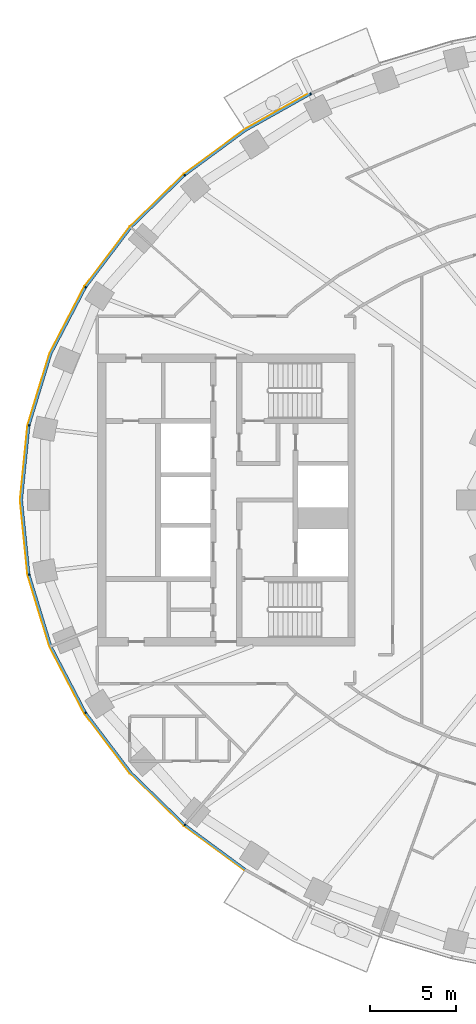
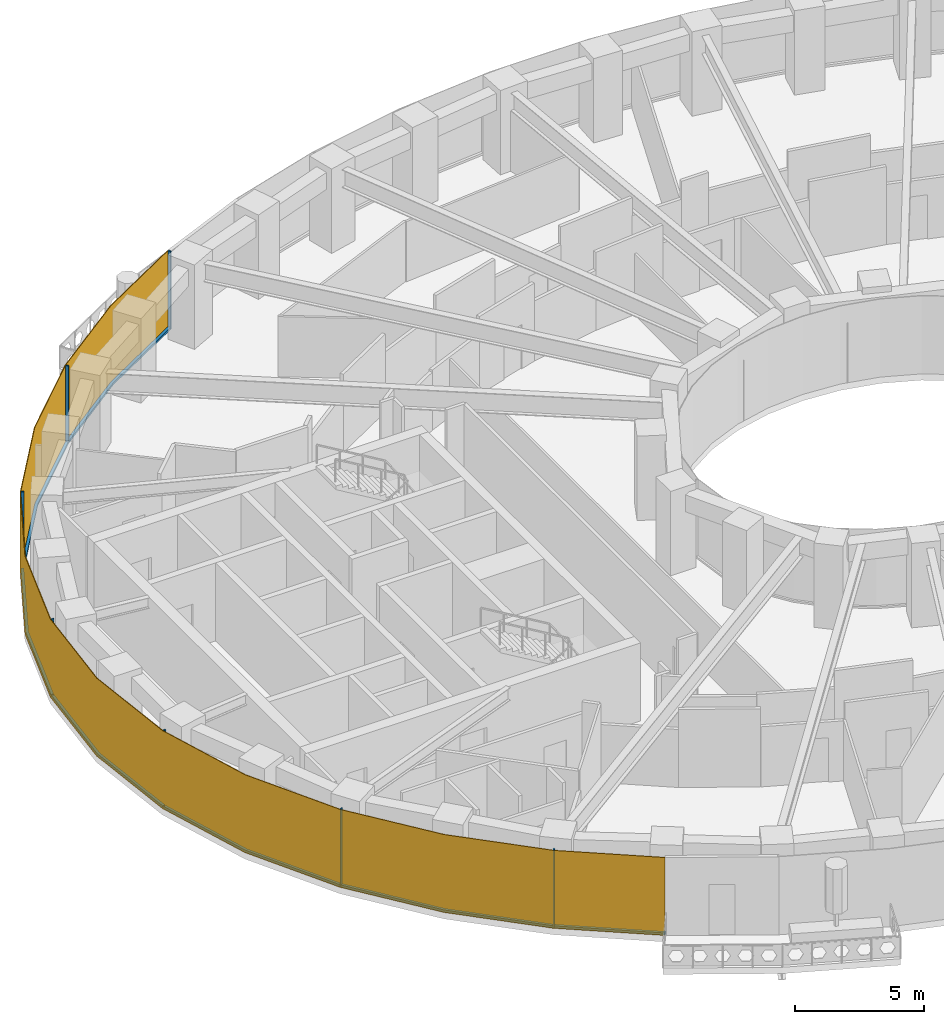
# One storey, part 9 of 16: 14 members, 1 curtain wall.
"""IFC4 building model written with IfcOpenShell, lengths in metres."""

from ifc_helpers import new_model, si_unit, direction, frame, origin, origin_2d, place, context, subcontext, project, spatial, polyline, rectangle, outline, extrude, material, layer, layer_set, material_profile, profile_set, type_object, element, aggregate, save


model = new_model("IFC4")

# Units and contexts
model_context = context("Model", 3, precision=1e-05, world=origin(), true_north=direction((0.0, 1.0)))
body_context = subcontext(model_context, "Body", "Model", "MODEL_VIEW")
ifc_project = project(units=[si_unit("LENGTHUNIT", "METRE"), si_unit("AREAUNIT", "SQUARE_METRE"), si_unit("VOLUMEUNIT", "CUBIC_METRE"), si_unit("PLANEANGLEUNIT", "RADIAN"), si_unit("MASSUNIT", "GRAM", prefix="KILO")], contexts=[model_context])

# Member
ifc_material_1 = material(Name="Aluminium 6063-T6 black anodised", Category="aluminium")
ifc_material_profile = material_profile(ifc_material_1, rectangle(XDim=0.1201171875, YDim=0.06005859375, at=origin_2d()), Name="120x60")
ifc_profile_set = profile_set([ifc_material_profile], Name="Aluminium 6063-T6 black anodised")
member_type_1 = type_object("IfcMemberType", Name="ENV-MULLION-A-120", PredefinedType="MULLION", material=ifc_profile_set)
site_placement = place(None, origin())
building_placement = place(site_placement, origin())
storey_placement = place(building_placement, frame((0.0, 0.0, 116.0)))
member_1_placement = place(storey_placement, frame((-19.06787109375, 23.6474609375, 0.0), z_axis=(0.0, 0.0, 1.0), x_axis=(0.439237769837, -0.898370848563, 0.0)))
member_1 = element("IfcMember", 1, at=member_1_placement, type_object=member_type_1, Name="Mullion A radial 17", PredefinedType="MULLION", context=body_context, shape_type="SweptSolid", body=[
    extrude(rectangle(XDim=0.1201171875, YDim=0.06005859375, at=origin_2d()), origin(), (0.0, 0.0, 1.0), 3.699951171875),
])

member_2_placement = place(storey_placement, frame((-26.403564453125, 18.9130859375, 0.0), z_axis=(0.0, 0.0, 1.0), x_axis=(0.646451313783, -0.762955240435, 0.0)))
member_2 = element("IfcMember", 2, at=member_2_placement, type_object=member_type_1, Name="Mullion A radial 19", PredefinedType="MULLION", context=body_context, shape_type="SweptSolid", body=[
    extrude(rectangle(XDim=0.1201171875, YDim=0.06005859375, at=origin_2d()), origin(), (0.0, 0.0, 1.0), 3.699951171875),
])

member_3_placement = place(storey_placement, frame((-32.177490234375, 12.385498046875, 0.0), z_axis=(0.0, 0.0, 1.0), x_axis=(0.844829880882, -0.53503501976, 0.0)))
member_3 = element("IfcMember", 3, at=member_3_placement, type_object=member_type_1, Name="Mullion A radial 21", PredefinedType="MULLION", context=body_context, shape_type="SweptSolid", body=[
    extrude(rectangle(XDim=0.1201171875, YDim=0.06005859375, at=origin_2d()), origin(), (0.0, 0.0, 1.0), 3.699951171875),
])

member_4_placement = place(storey_placement, frame((-35.470947265625, 4.340576171875, 0.0), z_axis=(0.0, 0.0, 1.0), x_axis=(0.980379083141, -0.19712141776, 0.0)))
member_4 = element("IfcMember", 4, at=member_4_placement, type_object=member_type_1, Name="Mullion A radial 23", PredefinedType="MULLION", context=body_context, shape_type="SweptSolid", body=[
    extrude(rectangle(XDim=0.1201171875, YDim=0.06005859375, at=origin_2d()), origin(), (0.0, 0.0, 1.0), 3.699951171875),
])

member_5_placement = place(storey_placement, frame((-35.470947265625, -4.340576171875, 0.0), z_axis=(0.0, 0.0, 1.0), x_axis=(0.980379083141, 0.19712141776, 0.0)))
member_5 = element("IfcMember", 5, at=member_5_placement, type_object=member_type_1, Name="Mullion A radial 25", PredefinedType="MULLION", context=body_context, shape_type="SweptSolid", body=[
    extrude(rectangle(XDim=0.1201171875, YDim=0.06005859375, at=origin_2d()), origin(), (0.0, 0.0, 1.0), 3.699951171875),
])

member_6_placement = place(storey_placement, frame((-32.177490234375, -12.385498046875, 0.0), z_axis=(0.0, 0.0, 1.0), x_axis=(0.844829880882, 0.53503501976, 0.0)))
member_6 = element("IfcMember", 6, at=member_6_placement, type_object=member_type_1, Name="Mullion A radial 27", PredefinedType="MULLION", context=body_context, shape_type="SweptSolid", body=[
    extrude(rectangle(XDim=0.1201171875, YDim=0.06005859375, at=origin_2d()), origin(), (0.0, 0.0, 1.0), 3.699951171875),
])

member_7_placement = place(storey_placement, frame((-26.403564453125, -18.9130859375, 0.0), z_axis=(0.0, 0.0, 1.0), x_axis=(0.646451313783, 0.762955240435, 0.0)))
member_7 = element("IfcMember", 7, at=member_7_placement, type_object=member_type_1, Name="Mullion A radial 29", PredefinedType="MULLION", context=body_context, shape_type="SweptSolid", body=[
    extrude(rectangle(XDim=0.1201171875, YDim=0.06005859375, at=origin_2d()), origin(), (0.0, 0.0, 1.0), 3.699951171875),
])

ifc_material_2 = material(Name="Aluminium 6063-T6 black anodised", Category="aluminium")
member_type_2 = type_object("IfcMemberType", Name="ENV-TRANSOM-A", PredefinedType="USERDEFINED", material=ifc_material_2)
member_8_placement = place(storey_placement, origin())
member_8 = element("IfcMember", 8, at=member_8_placement, type_object=member_type_2, Name="Transom A radial 17-19", ObjectType="TRANSOM", PredefinedType="USERDEFINED", context=body_context, shape_type="SweptSolid", body=[
    extrude(outline(polyline([(-19.11865234375, 23.687744140625), (-22.9150390625, 21.556884765625), (-26.419921875, 18.975341796875), (-26.342041015625, 18.883544921875), (-22.85009765625, 21.455810546875), (-19.06591796875, 23.57958984375), (-19.11865234375, 23.687744140625)])), origin(), (0.0, 0.0, 1.0), 0.10009765625),
])

member_9_placement = place(storey_placement, origin())
member_9 = element("IfcMember", 9, at=member_9_placement, type_object=member_type_2, Name="Transom A radial 19-21", ObjectType="TRANSOM", PredefinedType="USERDEFINED", context=body_context, shape_type="SweptSolid", body=[
    extrude(outline(polyline([(-26.46240234375, 18.939208984375), (-29.58349609375, 15.906982421875), (-32.211181640625, 12.43994140625), (-32.109375, 12.37548828125), (-29.493408203125, 15.8271484375), (-26.384765625, 18.847412109375), (-26.46240234375, 18.939208984375)])), origin(), (0.0, 0.0, 1.0), 0.10009765625),
])

member_10_placement = place(storey_placement, origin())
member_10 = element("IfcMember", 10, at=member_10_placement, type_object=member_type_2, Name="Transom A radial 21-23", ObjectType="TRANSOM", PredefinedType="USERDEFINED", context=body_context, shape_type="SweptSolid", body=[
    extrude(outline(polyline([(-32.240966796875, 12.392578125), (-34.251220703125, 8.53662109375), (-35.521484375, 4.379150390625), (-35.4033203125, 4.355224609375), (-34.139892578125, 8.490966796875), (-32.139404296875, 12.328369140625), (-32.240966796875, 12.392578125)])), origin(), (0.0, 0.0, 1.0), 0.10009765625),
])

member_11_placement = place(storey_placement, origin())
member_11 = element("IfcMember", 11, at=member_11_placement, type_object=member_type_2, Name="Transom A radial 23-25", ObjectType="TRANSOM", PredefinedType="USERDEFINED", context=body_context, shape_type="SweptSolid", body=[
    extrude(outline(polyline([(-35.532470703125, 4.324462890625), (-35.9677734375, 0.0), (-35.532470703125, -4.324462890625), (-35.414306640625, -4.30078125), (-35.84716796875, 0.0), (-35.414306640625, 4.30078125), (-35.532470703125, 4.324462890625)])), origin(), (0.0, 0.0, 1.0), 0.10009765625),
])

member_12_placement = place(storey_placement, origin())
member_12 = element("IfcMember", 12, at=member_12_placement, type_object=member_type_2, Name="Transom A radial 25-27", ObjectType="TRANSOM", PredefinedType="USERDEFINED", context=body_context, shape_type="SweptSolid", body=[
    extrude(outline(polyline([(-35.521484375, -4.379150390625), (-34.251220703125, -8.53662109375), (-32.240966796875, -12.392578125), (-32.139404296875, -12.328369140625), (-34.139892578125, -8.490966796875), (-35.4033203125, -4.355224609375), (-35.521484375, -4.379150390625)])), origin(), (0.0, 0.0, 1.0), 0.10009765625),
])

member_13_placement = place(storey_placement, origin())
member_13 = element("IfcMember", 13, at=member_13_placement, type_object=member_type_2, Name="Transom A radial 27-29", ObjectType="TRANSOM", PredefinedType="USERDEFINED", context=body_context, shape_type="SweptSolid", body=[
    extrude(outline(polyline([(-32.211181640625, -12.43994140625), (-29.58349609375, -15.906982421875), (-26.46240234375, -18.939208984375), (-26.384765625, -18.847412109375), (-29.493408203125, -15.8271484375), (-32.109375, -12.37548828125), (-32.211181640625, -12.43994140625)])), origin(), (0.0, 0.0, 1.0), 0.10009765625),
])

member_14_placement = place(storey_placement, origin())
member_14 = element("IfcMember", 14, at=member_14_placement, type_object=member_type_2, Name="Transom A radial 29-30", ObjectType="TRANSOM", PredefinedType="USERDEFINED", context=body_context, shape_type="SweptSolid", body=[
    extrude(outline(polyline([(-26.419921875, -18.975341796875), (-22.931396484375, -21.544921875), (-22.8662109375, -21.444091796875), (-26.342041015625, -18.883544921875), (-26.419921875, -18.975341796875)])), origin(), (0.0, 0.0, 1.0), 0.10009765625),
])

# Site, building, storey
site = spatial("IfcSite", under=ifc_project, at=site_placement, CompositionType="ELEMENT")
building = spatial("IfcBuilding", under=site, at=building_placement, Name="Noorbagh Ring Tower", CompositionType="ELEMENT")
storey = spatial("IfcBuildingStorey", under=building, at=storey_placement, Name="L26", CompositionType="ELEMENT", Elevation=116.0)

# Curtain wall
ifc_material_3 = material(Name="Glass dark tinted laminated", Category="glass")
ifc_layer = layer(ifc_material_3, 0.031982421875)
ifc_layer_set = layer_set([ifc_layer], Name="Glass dark tinted laminated")
curtain_wall_type = type_object("IfcCurtainWallType", Name="ENV-CW-A", PredefinedType="NOTDEFINED", material=ifc_layer_set)
curtain_wall_placement = place(storey_placement, origin())
curtain_wall = element("IfcCurtainWall", 15, at=curtain_wall_placement, inside=storey, type_object=curtain_wall_type, Name="Curtain wall A R17", PredefinedType="NOTDEFINED", context=body_context, shape_type="SweptSolid", body=[
    extrude(outline(polyline([(-19.125732421875, 23.720458984375), (-22.9326171875, 21.583740234375), (-26.463134765625, 18.9833984375), (-29.607666015625, 15.927978515625), (-32.255126953125, 12.434814453125), (-34.281005859375, 8.548828125), (-35.561279296875, 4.358642578125), (-36.0, 0.0), (-35.561279296875, -4.358642578125), (-34.281005859375, -8.548828125), (-32.255126953125, -12.434814453125), (-29.607666015625, -15.927978515625), (-26.463134765625, -18.9833984375), (-22.948486328125, -21.572021484375), (-22.931396484375, -21.544921875), (-26.4423828125, -18.958740234375), (-29.58349609375, -15.906982421875), (-32.22802734375, -12.41748046875), (-34.251220703125, -8.53662109375), (-35.529541015625, -4.352294921875), (-35.9677734375, 0.0), (-35.529541015625, 4.352294921875), (-34.251220703125, 8.53662109375), (-32.22802734375, 12.41748046875), (-29.58349609375, 15.906982421875), (-26.4423828125, 18.958740234375), (-22.9150390625, 21.556884765625), (-19.111572265625, 23.691650390625), (-19.125732421875, 23.720458984375)])), origin(), (0.0, 0.0, 1.0), 3.699951171875),
])

aggregate(curtain_wall, [member_1, member_2, member_3, member_4, member_5, member_6, member_7, member_8, member_9, member_10, member_11, member_12, member_13, member_14])

save(model, "model.ifc")
